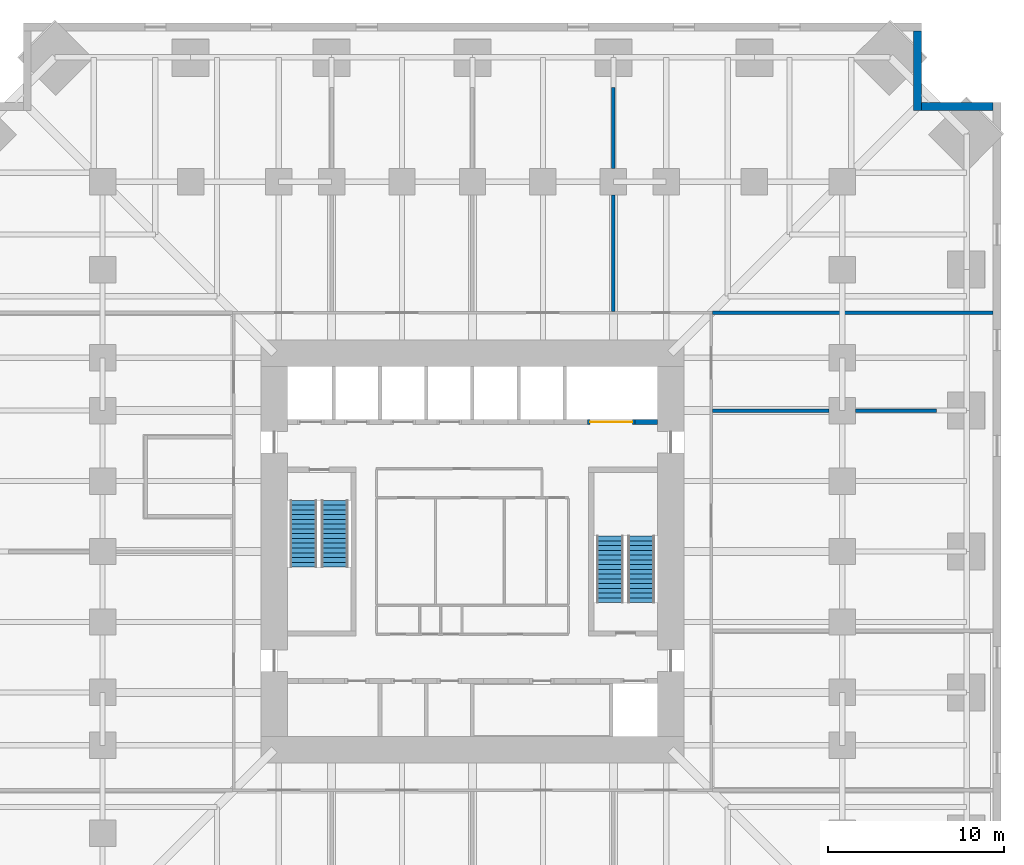
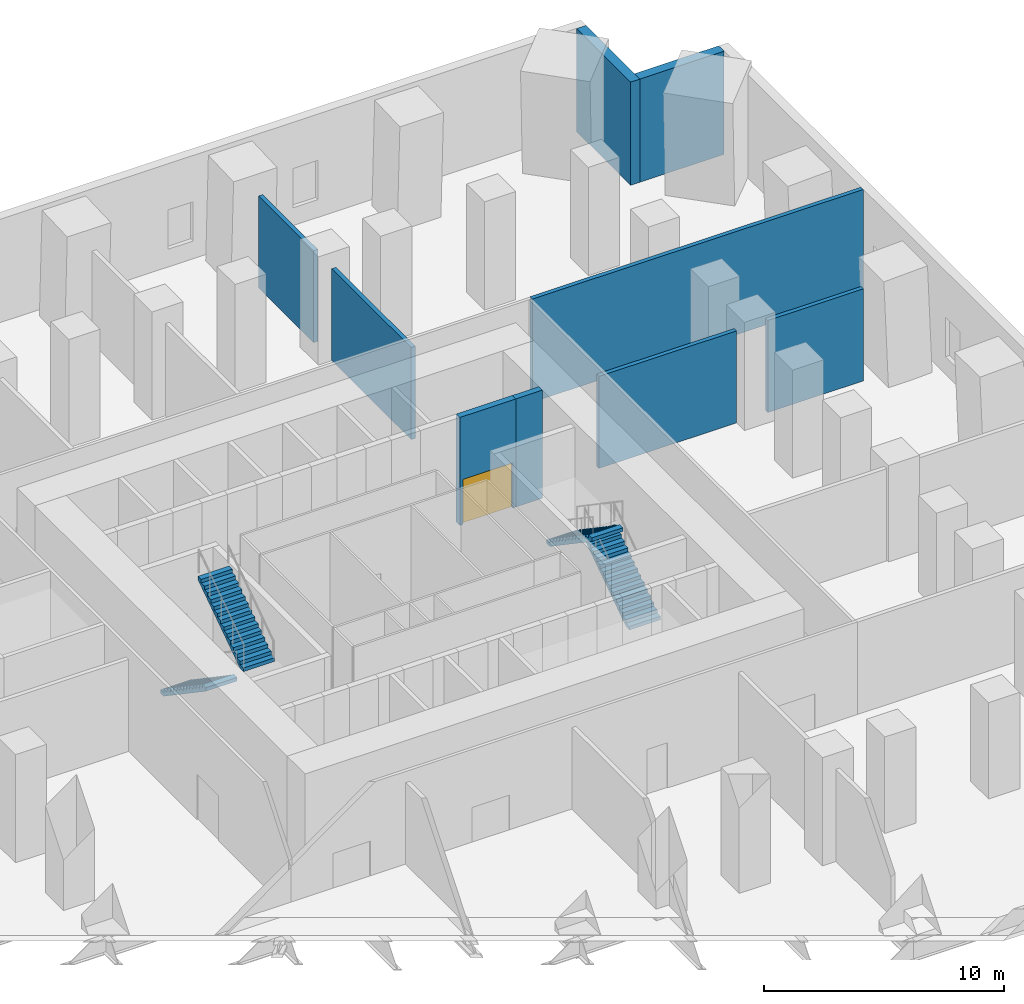
# One storey, part 7 of 8: 9 walls, 4 stair flights, 1 door, 1 opening, 2 elements without a shape of their own.
"""IFC4 building model written with IfcOpenShell, lengths in metres."""

import ifcopenshell
import ifcopenshell.guid

model = None  # the IFC model being written
_history = None  # IfcOwnerHistory: only IFC2X3 demands one
_inside = {}  # id of a spatial element -> (the spatial element, [elements in it])
_under = {}  # id of a project, library or spatial element -> (it, [spatial elements below it])
_declared = {}  # id of a project -> (the project, [libraries it declares])
_typed = {}  # id of a type object -> (the type object, [elements of that type])
_made_of = {}  # id of a material, layer set ... -> (it, [elements and type objects made of it])


def new_model(schema):
    """Start an empty IFC model of exactly this schema.

    Asked for "IFC4X3", IfcOpenShell would pick the latest addendum, in which some entities
    have other attributes; the version numbers below select the first issue.
    IFC2X3 requires an IfcOwnerHistory on every rooted entity: one is made here for all.
    """
    global model, _history
    if schema == "IFC4X3":
        model = ifcopenshell.file(schema_version=(4, 3, 0, 0))
    else:
        model = ifcopenshell.file(schema=schema)
    _inside.clear()
    _under.clear()
    _declared.clear()
    _typed.clear()
    _made_of.clear()
    _history = None
    if model.schema == "IFC2X3":
        org = make("IfcOrganization", Name="unknown")
        user = make(
            "IfcPersonAndOrganization",
            ThePerson=make("IfcPerson", FamilyName="unknown"),
            TheOrganization=org,
        )
        app = make(
            "IfcApplication",
            ApplicationDeveloper=org,
            Version="unknown",
            ApplicationFullName="unknown",
            ApplicationIdentifier="unknown",
        )
        _history = make(
            "IfcOwnerHistory",
            OwningUser=user,
            OwningApplication=app,
            ChangeAction="ADDED",
            CreationDate=0,
        )
    return model


def make(cls, **values):
    """One entity of the class cls with the attributes given. An attribute that is None is left unset."""
    return model.create_entity(
        cls, **{name: value for name, value in values.items() if value is not None}
    )


def rooted(cls, **values):
    """An entity with a GlobalId (a new one), such as an element, a storey or a relation."""
    return make(cls, GlobalId=ifcopenshell.guid.new(), OwnerHistory=_history, **values)


def si_unit(unit_type, name, prefix=None):
    """IfcSIUnit, for example si_unit("LENGTHUNIT", "METRE", prefix="MILLI")."""
    return make("IfcSIUnit", UnitType=unit_type, Prefix=prefix, Name=name)


def assignment(units):
    """IfcUnitAssignment: the units of a project."""
    return None if units is None else make("IfcUnitAssignment", Units=units)


def point(xyz):
    """IfcCartesianPoint."""
    return None if xyz is None else make("IfcCartesianPoint", Coordinates=xyz)


def direction(xyz):
    """IfcDirection."""
    return None if xyz is None else make("IfcDirection", DirectionRatios=xyz)


def frame(location, z_axis=None, x_axis=None):
    """IfcAxis2Placement3D, a coordinate frame: its origin and axes. An axis left out is left unset."""
    return make(
        "IfcAxis2Placement3D",
        Location=point(location),
        Axis=direction(z_axis),
        RefDirection=direction(x_axis),
    )


def frame_2d(location, x_axis=None):
    """IfcAxis2Placement2D, a coordinate frame in the plane: its origin and x axis."""
    return make(
        "IfcAxis2Placement2D", Location=point(location), RefDirection=direction(x_axis)
    )


def origin():
    """The frame at (0, 0, 0) with its axes left unset."""
    return frame((0.0, 0.0, 0.0))


def place(relative_to, where):
    """IfcLocalPlacement: puts the frame where relative to a parent placement (None: the world)."""
    return make(
        "IfcLocalPlacement", PlacementRelTo=relative_to, RelativePlacement=where
    )


def context(
    kind, dimensions, precision=None, world=None, true_north=None, identifier=None
):
    """IfcGeometricRepresentationContext, for example the 3D "Model" context."""
    return make(
        "IfcGeometricRepresentationContext",
        ContextIdentifier=identifier,
        ContextType=kind,
        CoordinateSpaceDimension=dimensions,
        Precision=precision,
        WorldCoordinateSystem=world,
        TrueNorth=true_north,
    )


def subcontext(parent, identifier, kind, view, scale=None):
    """IfcGeometricRepresentationSubContext, for example "Body" below "Model"."""
    return make(
        "IfcGeometricRepresentationSubContext",
        ContextIdentifier=identifier,
        ContextType=kind,
        ParentContext=parent,
        TargetScale=scale,
        TargetView=view,
    )


def project(units=None, contexts=None):
    """IfcProject with its units and contexts."""
    return rooted(
        "IfcProject",
        Name="project",
        RepresentationContexts=contexts,
        UnitsInContext=assignment(units),
    )


def spatial(cls, under=None, at=None, **own):
    """A site, building, storey or space (cls), placed at a placement, below another one or the project."""
    s = rooted(cls, ObjectPlacement=at, **own)
    if under is not None:
        _under.setdefault(under.id(), (under, []))[1].append(s)
    return s


def polyline(points):
    """IfcPolyline through the points."""
    return make("IfcPolyline", Points=[point(p) for p in points])


def profile(cls, at=None, kind="AREA", **sizes):
    """A parametric profile (cls). Its sizes go by their IFC names, for example OverallWidth=200.0."""
    return make(cls, ProfileType=kind, Position=at, **sizes)


def rectangle(**sizes):
    """IfcRectangleProfileDef."""
    return profile("IfcRectangleProfileDef", **sizes)


def outline(outer, holes=None, kind="AREA"):
    """IfcArbitraryClosedProfileDef: a profile drawn as a closed curve; with holes, ...WithVoids."""
    if holes is None:
        return make("IfcArbitraryClosedProfileDef", ProfileType=kind, OuterCurve=outer)
    return make(
        "IfcArbitraryProfileDefWithVoids",
        ProfileType=kind,
        OuterCurve=outer,
        InnerCurves=holes,
    )


def extrude(swept, where, along, depth):
    """IfcExtrudedAreaSolid: the profile swept, set in the frame where, extruded along a direction by depth."""
    return make(
        "IfcExtrudedAreaSolid",
        SweptArea=swept,
        Position=where,
        ExtrudedDirection=direction(along),
        Depth=depth,
    )


def shape(context_of_items, identifier, shape_type, items):
    """IfcShapeRepresentation: the items that make up one representation, for example the "Body"."""
    return make(
        "IfcShapeRepresentation",
        ContextOfItems=context_of_items,
        RepresentationIdentifier=identifier,
        RepresentationType=shape_type,
        Items=items,
    )


def material(Name=None, Category=None):
    """IfcMaterial."""
    return make("IfcMaterial", Name=Name, Category=Category)


def layer(
    of_material, thickness, ventilated=None, Name=None, Category=None, Priority=None
):
    """IfcMaterialLayer: one layer of a wall or slab, of a material (None: an air gap)."""
    return make(
        "IfcMaterialLayer",
        Material=of_material,
        LayerThickness=thickness,
        IsVentilated=ventilated,
        Name=Name,
        Category=Category,
        Priority=Priority,
    )


def layer_set(layers, Name=None):
    """IfcMaterialLayerSet."""
    return make("IfcMaterialLayerSet", MaterialLayers=layers, LayerSetName=Name)


def made_of(thing, what):
    """Note that an element or type object is made of a material, layer set ...; save() writes the relation."""
    if what is not None:
        _made_of.setdefault(what.id(), (what, []))[1].append(thing)
    return thing


def type_object(cls, material=None, **own):
    """A type object (cls), such as IfcWallType, which elements share."""
    return made_of(rooted(cls, **own), material)


def element(
    cls,
    number,
    at=None,
    inside=None,
    cuts=None,
    type_object=None,
    material=None,
    context=None,
    identifier="Body",
    shape_type=None,
    held_by="IfcProductDefinitionShape",
    body=None,
    shapes=None,
    **own,
):
    """One element of the class cls, such as IfcWall. Its Tag is "e" and its number.

    at: its placement. inside: the storey or other place that contains it. cuts: it is an
    opening in that element (IfcRelVoidsElement). A single representation is given by context,
    identifier, shape_type and body (its items); several are given by shapes. held_by: the class
    of the entity that holds the representations. save() writes the other relations.
    """
    e = rooted(cls, Tag="e%d" % number, ObjectPlacement=at, **own)
    if body is not None:
        shapes = [shape(context, identifier, shape_type, body)]
    if shapes is not None:
        e.Representation = make(held_by, Representations=shapes)
    if inside is not None:
        _inside.setdefault(inside.id(), (inside, []))[1].append(e)
    if cuts is not None:
        rooted(
            "IfcRelVoidsElement", RelatingBuildingElement=cuts, RelatedOpeningElement=e
        )
    if type_object is not None:
        _typed.setdefault(type_object.id(), (type_object, []))[1].append(e)
    return made_of(e, material)


def fill(opening, filler):
    """IfcRelFillsElement: the door or window that sits in an opening."""
    return rooted(
        "IfcRelFillsElement",
        RelatingOpeningElement=opening,
        RelatedBuildingElement=filler,
    )


def aggregate(whole, parts):
    """IfcRelAggregates: a whole, such as a stair, and the parts it consists of."""
    return rooted("IfcRelAggregates", RelatingObject=whole, RelatedObjects=parts)


def save(model, path):
    """Write the relations noted so far, then the file.

    IfcRelAggregates (storeys below a building ...), IfcRelContainedInSpatialStructure (elements
    in a storey), IfcRelDefinesByType, IfcRelAssociatesMaterial and IfcRelDeclares: one each for
    every whole, place, type object, material and project.
    """
    for whole, parts in _under.values():
        aggregate(whole, parts)
    for where, things in _inside.values():
        rooted(
            "IfcRelContainedInSpatialStructure",
            RelatedElements=things,
            RelatingStructure=where,
        )
    for kind, things in _typed.values():
        rooted("IfcRelDefinesByType", RelatedObjects=things, RelatingType=kind)
    for what, things in _made_of.values():
        rooted("IfcRelAssociatesMaterial", RelatedObjects=things, RelatingMaterial=what)
    for by, libraries in _declared.values():
        rooted("IfcRelDeclares", RelatingContext=by, RelatedDefinitions=libraries)
    model.write(path)


model = new_model("IFC4")

# Units and contexts
model_context = context("Model", 3, precision=1e-05, world=origin(), true_north=direction((0.0, 1.0)))
body_context = subcontext(model_context, "Body", "Model", "MODEL_VIEW")
ifc_project = project(units=[si_unit("LENGTHUNIT", "METRE"), si_unit("AREAUNIT", "SQUARE_METRE"), si_unit("VOLUMEUNIT", "CUBIC_METRE"), si_unit("PLANEANGLEUNIT", "RADIAN"), si_unit("MASSUNIT", "GRAM", prefix="KILO")], contexts=[model_context])

# Site, building, storey
site_placement = place(None, origin())
site = spatial("IfcSite", under=ifc_project, at=site_placement, CompositionType="ELEMENT")
building_placement = place(site_placement, origin())
building = spatial("IfcBuilding", under=site, at=building_placement, Name="Peilmerk Tower", CompositionType="ELEMENT")
storey_placement = place(building_placement, frame((0.0, 0.0, 70.5)))
storey = spatial("IfcBuildingStorey", under=building, at=storey_placement, Name="L13", CompositionType="ELEMENT", Elevation=70.5)

# Walls
ifc_material_1 = material(Name="Precast concrete C45/55, board-marked finish", Category="concrete")
ifc_layer_1 = layer(ifc_material_1, 0.449951171875)
ifc_layer_set_1 = layer_set([ifc_layer_1], Name="Precast concrete C45/55, board-marked finish")
wall_type_1 = type_object("IfcWallType", Name="EW1 450 precast concrete facade wall, board-marked", PredefinedType="SOLIDWALL", material=ifc_layer_set_1)
wall_1_placement = place(storey_placement, frame((25.27490234375, 25.050048828125, 0.0), z_axis=(0.0, 0.0, 1.0), x_axis=(0.0, 1.0, 0.0)))
element("IfcWall", 1, at=wall_1_placement, inside=storey, type_object=wall_type_1, Name="Facade wall NEA L13", PredefinedType="SOLIDWALL", context=body_context, shape_type="SweptSolid", body=[
    extrude(rectangle(XDim=4.5, YDim=0.449951171875, at=frame_2d((2.25, 0.0))), origin(), (0.0, 0.0, 1.0), 5.25),
])
wall_2_placement = place(storey_placement, frame((25.5, 25.27490234375, 0.0), z_axis=(0.0, 0.0, 1.0), x_axis=(1.0, 0.0, 0.0)))
element("IfcWall", 2, at=wall_2_placement, inside=storey, type_object=wall_type_1, Name="Facade wall NEB L13", PredefinedType="SOLIDWALL", context=body_context, shape_type="SweptSolid", body=[
    extrude(rectangle(XDim=4.050048828125, YDim=0.449951171875, at=frame_2d((2.02490234375, 0.0))), origin(), (0.0, 0.0, 1.0), 5.25),
])
ifc_material_2 = material(Name="Calcium silicate block", Category="masonry")
ifc_layer_2 = layer(ifc_material_2, 0.199951171875)
ifc_layer_set_2 = layer_set([ifc_layer_2], Name="Calcium silicate block")
wall_type_2 = type_object("IfcWallType", Name="IW2 200 room separating wall, EI 120", PredefinedType="PARTITIONING", material=ifc_layer_set_2)
wall_3_placement = place(storey_placement, frame((13.625, 13.550048828125, 0.0), z_axis=(0.0, 0.0, 1.0), x_axis=(1.0, 0.0, 0.0)))
element("IfcWall", 3, at=wall_3_placement, inside=storey, type_object=wall_type_2, Name="Room separating wall NE L13", PredefinedType="PARTITIONING", context=body_context, shape_type="SweptSolid", body=[
    extrude(rectangle(XDim=15.925048828125, YDim=0.199951171875, at=frame_2d((7.96240234375, 0.0))), origin(), (0.0, 0.0, 1.0), 5.25),
])
wall_4_placement = place(storey_placement, frame((8.0, 13.625, 0.0), z_axis=(0.0, 0.0, 1.0), x_axis=(0.0, 1.0, 0.0)))
element("IfcWall", 4, at=wall_4_placement, inside=storey, type_object=wall_type_2, Name="Room separating wall N3 L13", PredefinedType="PARTITIONING", context=body_context, shape_type="SweptSolid", body=[
    extrude(rectangle(XDim=6.625, YDim=0.199951171875, at=frame_2d((3.3125, 0.0))), origin(), (0.0, 0.0, 1.0), 4.680908203125),
])
wall_5_placement = place(storey_placement, frame((8.0, 21.75, 0.0), z_axis=(0.0, 0.0, 1.0), x_axis=(0.0, 1.0, 0.0)))
element("IfcWall", 5, at=wall_5_placement, inside=storey, type_object=wall_type_2, Name="Room separating wall N3b L13", PredefinedType="PARTITIONING", context=body_context, shape_type="SweptSolid", body=[
    extrude(rectangle(XDim=4.597412109375, YDim=0.199951171875, at=frame_2d((2.298828125, 0.0))), origin(), (0.0, 0.0, 1.0), 4.680908203125),
])
wall_6_placement = place(storey_placement, frame((13.625, 8.0, 0.0), z_axis=(0.0, 0.0, 1.0), x_axis=(1.0, 0.0, 0.0)))
element("IfcWall", 6, at=wall_6_placement, inside=storey, type_object=wall_type_2, Name="Room separating wall E2 L13", PredefinedType="PARTITIONING", context=body_context, shape_type="SweptSolid", body=[
    extrude(rectangle(XDim=6.625, YDim=0.199951171875, at=frame_2d((3.3125, 0.0))), origin(), (0.0, 0.0, 1.0), 4.680908203125),
])
wall_7_placement = place(storey_placement, frame((21.75, 8.0, 0.0), z_axis=(0.0, 0.0, 1.0), x_axis=(1.0, 0.0, 0.0)))
element("IfcWall", 7, at=wall_7_placement, inside=storey, type_object=wall_type_2, Name="Room separating wall E2b L13", PredefinedType="PARTITIONING", context=body_context, shape_type="SweptSolid", body=[
    extrude(rectangle(XDim=4.597412109375, YDim=0.199951171875, at=frame_2d((2.298828125, 0.0))), origin(), (0.0, 0.0, 1.0), 4.680908203125),
])

# Wall, opening, door
ifc_layer_3 = layer(ifc_material_2, 0.300048828125)
ifc_layer_set_3 = layer_set([ifc_layer_3], Name="Calcium silicate block")
wall_type_3 = type_object("IfcWallType", Name="SH2 300 lift landing door panel, EI 120", PredefinedType="PARTITIONING", material=ifc_layer_set_3)
wall_8_placement = place(storey_placement, frame((6.52490234375, 7.35009765625, 0.0), z_axis=(0.0, 0.0, 1.0), x_axis=(1.0, 0.0, 0.0)))
wall_8 = element("IfcWall", 8, at=wall_8_placement, inside=storey, type_object=wall_type_3, Name="Lift door panel N GL1 L13", PredefinedType="PARTITIONING", context=body_context, shape_type="SweptSolid", body=[
    extrude(rectangle(XDim=2.7001953125, YDim=0.300048828125, at=frame_2d((1.35009765625, 0.0))), origin(), (0.0, 0.0, 1.0), 5.5),
])
opening_placement = place(wall_8_placement, frame((0.14990234375, 0.0, 0.0)))
opening = element("IfcOpeningElement", 9, at=opening_placement, cuts=wall_8, Name="Opening LD3", PredefinedType="OPENING", context=body_context, shape_type="SweptSolid", body=[
    extrude(rectangle(XDim=2.39990234375, YDim=2.300048828125, at=frame_2d((1.199951171875, 1.14990234375))), frame((0.0, 0.159912109375, 0.0), z_axis=(0.0, -1.0, 0.0), x_axis=(1.0, 0.0, 0.0)), (0.0, 0.0, 1.0), 0.320068359375),
])
ifc_material_3 = material(Name="Stainless steel landing door", Category="steel")
door_type = type_object("IfcDoorType", Name="LD3 2400x2300 lift landing door, sliding, EI2 60", OperationType="SLIDING_TO_LEFT", PredefinedType="DOOR", material=ifc_material_3)
door_placement = place(opening_placement, frame((2.39990234375, 0.0, 0.0), z_axis=(0.0, 0.0, 1.0), x_axis=(-1.0, 0.0, 0.0)))
door = element("IfcDoor", 10, at=door_placement, inside=storey, type_object=door_type, Name="Lift landing door GL1 L13", OperationType="SLIDING_TO_LEFT", OverallHeight=2.300048828125, OverallWidth=2.39990234375, PredefinedType="DOOR", context=body_context, shape_type="SweptSolid", body=[
    extrude(rectangle(XDim=2.39990234375, YDim=2.300048828125, at=frame_2d((1.199951171875, 1.14990234375))), frame((0.0, 0.02490234375, 0.0), z_axis=(0.0, -1.0, 0.0), x_axis=(1.0, 0.0, 0.0)), (0.0, 0.0, 1.0), 0.050048828125),
])
fill(opening, door)

# Wall
ifc_material_4 = material(Name="Concrete C55/67", Category="concrete")
ifc_layer_4 = layer(ifc_material_4, 0.300048828125)
ifc_layer_set_4 = layer_set([ifc_layer_4], Name="Concrete C55/67")
wall_type_4 = type_object("IfcWallType", Name="SW2 300 lift bank pier", PredefinedType="SHEAR", material=ifc_layer_set_4)
wall_9_placement = place(storey_placement, frame((9.22509765625, 7.35009765625, 0.0), z_axis=(0.0, 0.0, 1.0), x_axis=(1.0, 0.0, 0.0)))
element("IfcWall", 11, at=wall_9_placement, inside=storey, type_object=wall_type_4, Name="Lift bank pier N L13", PredefinedType="SHEAR", context=body_context, shape_type="SweptSolid", body=[
    extrude(rectangle(XDim=1.27490234375, YDim=0.300048828125, at=frame_2d((0.637451171875, 0.0))), origin(), (0.0, 0.0, 1.0), 5.5),
])

# Stair, stair flights
ifc_material_5 = material(Name="Precast concrete C45/55", Category="concrete")
stair_type_1 = type_object("IfcStairType", Name="ST1 30 risers of 183.3", PredefinedType="HALF_TURN_STAIR", material=ifc_material_5)
stair_1_placement = place(storey_placement, origin())
stair_1 = element("IfcStair", 12, at=stair_1_placement, inside=storey, type_object=stair_type_1, Name="Stair 1 L13 to L14", PredefinedType="HALF_TURN_STAIR")
stair_flight_type = type_object("IfcStairFlightType", Name="SF15 flight, 15 risers of 183.3", PredefinedType="STRAIGHT", material=ifc_material_5)
stair_flight_1_placement = place(storey_placement, frame((-9.60009765625, 2.89990234375, 0.0), z_axis=(0.0, 0.0, 1.0), x_axis=(0.0, -1.0, 0.0)))
stair_flight_1 = element("IfcStairFlight", 13, at=stair_flight_1_placement, type_object=stair_flight_type, Name="ST1 flight 1", NumberOfRisers=15, NumberOfTreads=14, PredefinedType="STRAIGHT", RiserHeight=0.183333333, TreadLength=0.27, context=body_context, shape_type="SweptSolid", body=[
    extrude(outline(polyline([(0.0, 0.0), (0.0, 0.183349609375), (0.27001953125, 0.183349609375), (0.27001953125, 0.36669921875), (0.5400390625, 0.36669921875), (0.5400390625, 0.550048828125), (0.81005859375, 0.550048828125), (0.81005859375, 0.7333984375), (1.080078125, 0.7333984375), (1.080078125, 0.916748046875), (1.35009765625, 0.916748046875), (1.35009765625, 1.10009765625), (1.6201171875, 1.10009765625), (1.6201171875, 1.283447265625), (1.889892578125, 1.283447265625), (1.889892578125, 1.466552734375), (2.159912109375, 1.466552734375), (2.159912109375, 1.64990234375), (2.429931640625, 1.64990234375), (2.429931640625, 1.833251953125), (2.699951171875, 1.833251953125), (2.699951171875, 2.0166015625), (2.969970703125, 2.0166015625), (2.969970703125, 2.199951171875), (3.239990234375, 2.199951171875), (3.239990234375, 2.38330078125), (3.510009765625, 2.38330078125), (3.510009765625, 2.566650390625), (3.780029296875, 2.566650390625), (3.780029296875, 2.75), (3.780029296875, 2.385498046875), (0.266845703125, 0.0), (0.0, 0.0)])), frame((0.0, 0.75, 0.0), z_axis=(0.0, -1.0, 0.0), x_axis=(1.0, 0.0, 0.0)), (0.0, 0.0, 1.0), 1.5),
])
stair_flight_2_placement = place(storey_placement, frame((-7.800048828125, -0.8798828125, 2.75), z_axis=(0.0, 0.0, 1.0), x_axis=(0.0, 1.0, 0.0)))
stair_flight_2 = element("IfcStairFlight", 14, at=stair_flight_2_placement, type_object=stair_flight_type, Name="ST1 flight 2", NumberOfRisers=15, NumberOfTreads=14, PredefinedType="STRAIGHT", RiserHeight=0.183333333, TreadLength=0.27, context=body_context, shape_type="SweptSolid", body=[
    extrude(outline(polyline([(0.0, 0.0), (0.0, 0.183349609375), (0.27001953125, 0.183349609375), (0.27001953125, 0.36669921875), (0.5400390625, 0.36669921875), (0.5400390625, 0.550048828125), (0.81005859375, 0.550048828125), (0.81005859375, 0.7333984375), (1.080078125, 0.7333984375), (1.080078125, 0.916748046875), (1.35009765625, 0.916748046875), (1.35009765625, 1.10009765625), (1.6201171875, 1.10009765625), (1.6201171875, 1.283447265625), (1.889892578125, 1.283447265625), (1.889892578125, 1.466552734375), (2.159912109375, 1.466552734375), (2.159912109375, 1.64990234375), (2.429931640625, 1.64990234375), (2.429931640625, 1.833251953125), (2.699951171875, 1.833251953125), (2.699951171875, 2.0166015625), (2.969970703125, 2.0166015625), (2.969970703125, 2.199951171875), (3.239990234375, 2.199951171875), (3.239990234375, 2.38330078125), (3.510009765625, 2.38330078125), (3.510009765625, 2.566650390625), (3.780029296875, 2.566650390625), (3.780029296875, 2.75), (3.780029296875, 2.385498046875), (0.266845703125, 0.0), (0.0, 0.0)])), frame((0.0, 0.75, 0.0), z_axis=(0.0, -1.0, 0.0), x_axis=(1.0, 0.0, 0.0)), (0.0, 0.0, 1.0), 1.5),
])
aggregate(stair_1, [stair_flight_1, stair_flight_2])

stair_type_2 = type_object("IfcStairType", Name="ST2 30 risers of 183.3", PredefinedType="HALF_TURN_STAIR", material=ifc_material_5)
stair_2_placement = place(storey_placement, origin())
stair_2 = element("IfcStair", 15, at=stair_2_placement, inside=storey, type_object=stair_type_2, Name="Stair 2 L13 to L14", PredefinedType="HALF_TURN_STAIR")
stair_flight_3_placement = place(storey_placement, frame((9.60009765625, -2.89990234375, 0.0), z_axis=(0.0, 0.0, 1.0), x_axis=(0.0, 1.0, 0.0)))
stair_flight_3 = element("IfcStairFlight", 16, at=stair_flight_3_placement, type_object=stair_flight_type, Name="ST2 flight 1", NumberOfRisers=15, NumberOfTreads=14, PredefinedType="STRAIGHT", RiserHeight=0.183333333, TreadLength=0.27, context=body_context, shape_type="SweptSolid", body=[
    extrude(outline(polyline([(0.0, 0.0), (0.0, 0.183349609375), (0.27001953125, 0.183349609375), (0.27001953125, 0.36669921875), (0.5400390625, 0.36669921875), (0.5400390625, 0.550048828125), (0.81005859375, 0.550048828125), (0.81005859375, 0.7333984375), (1.080078125, 0.7333984375), (1.080078125, 0.916748046875), (1.35009765625, 0.916748046875), (1.35009765625, 1.10009765625), (1.6201171875, 1.10009765625), (1.6201171875, 1.283447265625), (1.889892578125, 1.283447265625), (1.889892578125, 1.466552734375), (2.159912109375, 1.466552734375), (2.159912109375, 1.64990234375), (2.429931640625, 1.64990234375), (2.429931640625, 1.833251953125), (2.699951171875, 1.833251953125), (2.699951171875, 2.0166015625), (2.969970703125, 2.0166015625), (2.969970703125, 2.199951171875), (3.239990234375, 2.199951171875), (3.239990234375, 2.38330078125), (3.510009765625, 2.38330078125), (3.510009765625, 2.566650390625), (3.780029296875, 2.566650390625), (3.780029296875, 2.75), (3.780029296875, 2.385498046875), (0.266845703125, 0.0), (0.0, 0.0)])), frame((0.0, 0.75, 0.0), z_axis=(0.0, -1.0, 0.0), x_axis=(1.0, 0.0, 0.0)), (0.0, 0.0, 1.0), 1.5),
])
stair_flight_4_placement = place(storey_placement, frame((7.800048828125, 0.8798828125, 2.75), z_axis=(0.0, 0.0, 1.0), x_axis=(0.0, -1.0, 0.0)))
stair_flight_4 = element("IfcStairFlight", 17, at=stair_flight_4_placement, type_object=stair_flight_type, Name="ST2 flight 2", NumberOfRisers=15, NumberOfTreads=14, PredefinedType="STRAIGHT", RiserHeight=0.183333333, TreadLength=0.27, context=body_context, shape_type="SweptSolid", body=[
    extrude(outline(polyline([(0.0, 0.0), (0.0, 0.183349609375), (0.27001953125, 0.183349609375), (0.27001953125, 0.36669921875), (0.5400390625, 0.36669921875), (0.5400390625, 0.550048828125), (0.81005859375, 0.550048828125), (0.81005859375, 0.7333984375), (1.080078125, 0.7333984375), (1.080078125, 0.916748046875), (1.35009765625, 0.916748046875), (1.35009765625, 1.10009765625), (1.6201171875, 1.10009765625), (1.6201171875, 1.283447265625), (1.889892578125, 1.283447265625), (1.889892578125, 1.466552734375), (2.159912109375, 1.466552734375), (2.159912109375, 1.64990234375), (2.429931640625, 1.64990234375), (2.429931640625, 1.833251953125), (2.699951171875, 1.833251953125), (2.699951171875, 2.0166015625), (2.969970703125, 2.0166015625), (2.969970703125, 2.199951171875), (3.239990234375, 2.199951171875), (3.239990234375, 2.38330078125), (3.510009765625, 2.38330078125), (3.510009765625, 2.566650390625), (3.780029296875, 2.566650390625), (3.780029296875, 2.75), (3.780029296875, 2.385498046875), (0.266845703125, 0.0), (0.0, 0.0)])), frame((0.0, 0.75, 0.0), z_axis=(0.0, -1.0, 0.0), x_axis=(1.0, 0.0, 0.0)), (0.0, 0.0, 1.0), 1.5),
])
aggregate(stair_2, [stair_flight_3, stair_flight_4])

save(model, "model.ifc")
